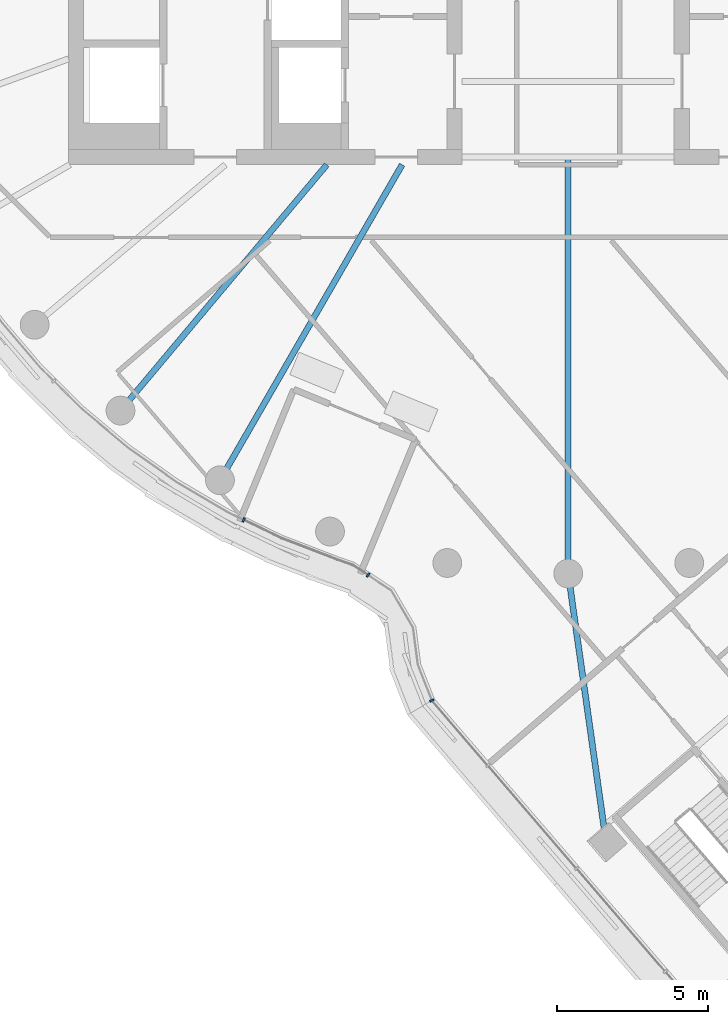
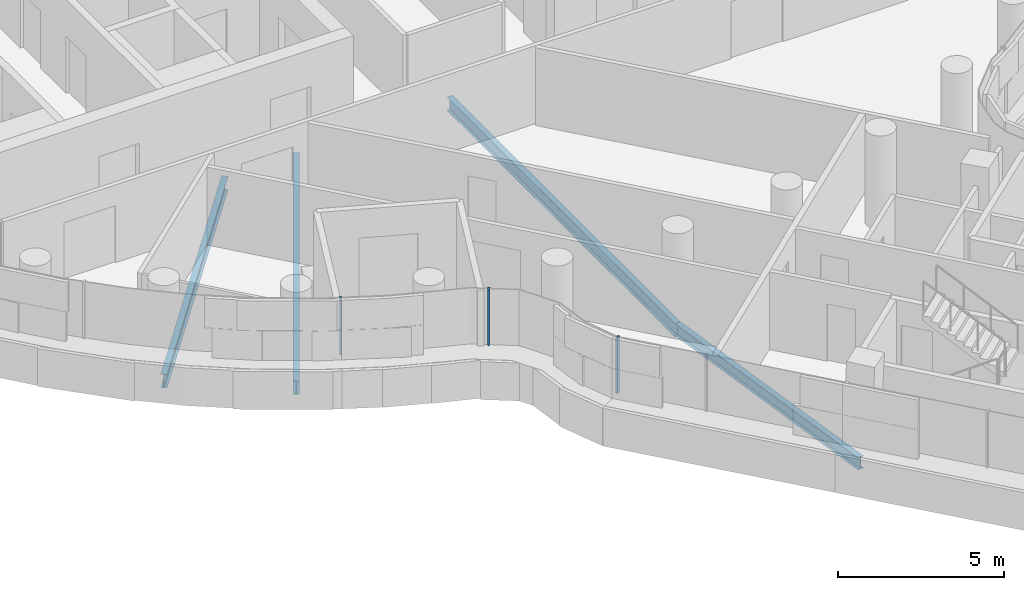
# One storey, part 6 of 34: 4 beams, 3 members, 2 elements without a shape of their own.
"""IFC4 building model written with IfcOpenShell, lengths in metres."""

from ifc_helpers import new_model, si_unit, direction, frame, origin, origin_2d, place, context, subcontext, project, spatial, rectangle, i_section, extrude, material, layer, layer_set, material_profile, profile_set, type_object, element, aggregate, save


model = new_model("IFC4")

# Units and contexts
model_context = context("Model", 3, precision=1e-05, world=origin(), true_north=direction((0.0, 1.0)))
body_context = subcontext(model_context, "Body", "Model", "MODEL_VIEW")
ifc_project = project(units=[si_unit("LENGTHUNIT", "METRE"), si_unit("AREAUNIT", "SQUARE_METRE"), si_unit("VOLUMEUNIT", "CUBIC_METRE"), si_unit("PLANEANGLEUNIT", "RADIAN"), si_unit("MASSUNIT", "GRAM", prefix="KILO")], contexts=[model_context])

# Site, building, storey
site_placement = place(None, origin())
site = spatial("IfcSite", under=ifc_project, at=site_placement, CompositionType="ELEMENT")
building_placement = place(site_placement, origin())
building = spatial("IfcBuilding", under=site, at=building_placement, Name="Tamarind Cross Interchange Tower", CompositionType="ELEMENT")
storey_placement = place(building_placement, frame((0.0, 0.0, 182.5)))
storey = spatial("IfcBuildingStorey", under=building, at=storey_placement, Name="L45", CompositionType="ELEMENT", Elevation=182.5)

# Beams
ifc_material_1 = material(Name="Steel Q355B", Category="steel")
ifc_material_profile_1 = material_profile(ifc_material_1, i_section(OverallWidth=0.198974609375, OverallDepth=0.446044921875, WebThickness=0.008056640625, FlangeThickness=0.011962890625, FilletRadius=0.012939453125, at=origin_2d()), Name="HN 446x199x8x12")
ifc_profile_set_1 = profile_set([ifc_material_profile_1], Name="Steel Q355B")
beam_type_1 = type_object("IfcBeamType", Name="Composite beam HN 446x199x8x12 Q355B", PredefinedType="BEAM", material=ifc_profile_set_1)
beam_1_placement = place(storey_placement, frame((1.250732421875, -31.8779296875, -0.363037109375), z_axis=(-0.139503496494, 0.990221578469, 0.0), x_axis=(-0.990221578469, -0.139503496494, 0.0)))
element("IfcBeam", 1, at=beam_1_placement, inside=storey, type_object=beam_type_1, Name="Beam S-linkem", PredefinedType="BEAM", context=body_context, shape_type="SweptSolid", body=[
    extrude(i_section(OverallWidth=0.198974609375, OverallDepth=0.446044921875, WebThickness=0.008056640625, FlangeThickness=0.011962890625, FilletRadius=0.012939453125, at=origin_2d()), origin(), (0.0, 0.0, 1.0), 8.965576171875),
])
ifc_material_profile_2 = material_profile(ifc_material_1, i_section(OverallWidth=0.198974609375, OverallDepth=0.49609375, WebThickness=0.009033203125, FlangeThickness=0.013916015625, FilletRadius=0.012939453125, at=origin_2d()), Name="HN 496x199x9x14")
ifc_profile_set_2 = profile_set([ifc_material_profile_2], Name="Steel Q355B")
beam_type_2 = type_object("IfcBeamType", Name="Composite beam HN 496x199x9x14 Q355B", PredefinedType="BEAM", material=ifc_profile_set_2)
beam_2_placement = place(storey_placement, frame((-14.7841796875, -17.619140625, -0.387939453125), z_axis=(0.642786293979, 0.766045547127, 0.0), x_axis=(-0.766045547127, 0.642786293979, 0.0)))
element("IfcBeam", 2, at=beam_2_placement, inside=storey, type_object=beam_type_2, Name="Beam HH23", PredefinedType="BEAM", context=body_context, shape_type="SweptSolid", body=[
    extrude(i_section(OverallWidth=0.198974609375, OverallDepth=0.49609375, WebThickness=0.009033203125, FlangeThickness=0.013916015625, FilletRadius=0.012939453125, at=origin_2d()), origin(), (0.0, 0.0, 1.0), 10.598876953125),
])
beam_3_placement = place(storey_placement, frame((-11.5, -19.918701171875, -0.387939453125), z_axis=(0.499993565836, 0.866029118519, 0.0), x_axis=(-0.866029118519, 0.499993565836, 0.0)))
element("IfcBeam", 3, at=beam_3_placement, inside=storey, type_object=beam_type_2, Name="Beam HH24", PredefinedType="BEAM", context=body_context, shape_type="SweptSolid", body=[
    extrude(i_section(OverallWidth=0.198974609375, OverallDepth=0.49609375, WebThickness=0.009033203125, FlangeThickness=0.013916015625, FilletRadius=0.012939453125, at=origin_2d()), origin(), (0.0, 0.0, 1.0), 12.030517578125),
])
beam_4_placement = place(storey_placement, frame((0.0, -23.0, -0.387939453125), z_axis=(0.0, 1.0, 0.0), x_axis=(-1.0, 0.0, 0.0)))
element("IfcBeam", 4, at=beam_4_placement, inside=storey, type_object=beam_type_2, Name="Beam HH27", PredefinedType="BEAM", context=body_context, shape_type="SweptSolid", body=[
    extrude(i_section(OverallWidth=0.198974609375, OverallDepth=0.49609375, WebThickness=0.009033203125, FlangeThickness=0.013916015625, FilletRadius=0.012939453125, at=origin_2d()), origin(), (0.0, 0.0, 1.0), 13.75),
])

# Curtain wall, member
ifc_material_2 = material(Name="Aluminium 6063-T6", Category="aluminium")
ifc_layer_1 = layer(ifc_material_2, 0.139892578125)
ifc_layer_set_1 = layer_set([ifc_layer_1], Name="Aluminium 6063-T6")
curtain_wall_type_1 = type_object("IfcCurtainWallType", Name="Hotel curtain wall, 4.5 m bays", PredefinedType="NOTDEFINED", material=ifc_layer_set_1)
curtain_wall_1_placement = place(storey_placement, origin())
curtain_wall_1 = element("IfcCurtainWall", 5, at=curtain_wall_1_placement, inside=storey, type_object=curtain_wall_type_1, Name="CWS-L45-07", PredefinedType="NOTDEFINED")
ifc_material_profile_3 = material_profile(ifc_material_2, rectangle(XDim=0.06005859375, YDim=0.139892578125, at=origin_2d()), Name="Mullion CW2")
ifc_profile_set_3 = profile_set([ifc_material_profile_3], Name="Aluminium 6063-T6")
member_type_1 = type_object("IfcMemberType", Name="Mullion CW2", PredefinedType="MULLION", material=ifc_profile_set_3)
member_1_placement = place(storey_placement, frame((-4.505615234375, -27.1884765625, 1.39990234375), z_axis=(0.0, 0.0, 1.0), x_axis=(0.516763536917, -0.856128172012, 0.0)))
member_1 = element("IfcMember", 6, at=member_1_placement, type_object=member_type_1, Name="CWM-L45-07-00", PredefinedType="MULLION", context=body_context, shape_type="SweptSolid", body=[
    extrude(rectangle(XDim=0.06005859375, YDim=0.139892578125, at=origin_2d()), origin(), (0.0, 0.0, 1.0), 2.06005859375),
])
aggregate(curtain_wall_1, [member_1])

# Curtain wall, members
ifc_layer_2 = layer(ifc_material_2, 0.14990234375)
ifc_layer_set_2 = layer_set([ifc_layer_2], Name="Aluminium 6063-T6")
curtain_wall_type_2 = type_object("IfcCurtainWallType", Name="Winter garden and crown curtain wall", PredefinedType="NOTDEFINED", material=ifc_layer_set_2)
curtain_wall_2_placement = place(storey_placement, origin())
curtain_wall_2 = element("IfcCurtainWall", 7, at=curtain_wall_2_placement, inside=storey, type_object=curtain_wall_type_2, Name="CWS-L45-06", PredefinedType="NOTDEFINED")
ifc_material_profile_4 = material_profile(ifc_material_2, rectangle(XDim=0.06005859375, YDim=0.14990234375, at=origin_2d()), Name="Mullion CW6")
ifc_profile_set_4 = profile_set([ifc_material_profile_4], Name="Aluminium 6063-T6")
member_type_2 = type_object("IfcMemberType", Name="Mullion CW6", PredefinedType="MULLION", material=ifc_profile_set_4)
member_2_placement = place(storey_placement, frame((-10.716552734375, -21.227294921875, 1.39990234375), z_axis=(0.0, 0.0, 1.0), x_axis=(0.900272776334, -0.435326231914, 0.0)))
member_2 = element("IfcMember", 8, at=member_2_placement, type_object=member_type_2, Name="CWM-L45-06-03", PredefinedType="MULLION", context=body_context, shape_type="SweptSolid", body=[
    extrude(rectangle(XDim=0.06005859375, YDim=0.14990234375, at=origin_2d()), origin(), (0.0, 0.0, 1.0), 2.06005859375),
])
member_3_placement = place(storey_placement, frame((-6.61083984375, -23.04931640625, 1.39990234375), z_axis=(0.0, 0.0, 1.0), x_axis=(0.834136941466, -0.551557397631, 0.0)))
member_3 = element("IfcMember", 9, at=member_3_placement, type_object=member_type_2, Name="CWM-L45-06-04", PredefinedType="MULLION", context=body_context, shape_type="SweptSolid", body=[
    extrude(rectangle(XDim=0.06005859375, YDim=0.14990234375, at=origin_2d()), origin(), (0.0, 0.0, 1.0), 2.06005859375),
])
aggregate(curtain_wall_2, [member_2, member_3])

save(model, "model.ifc")
